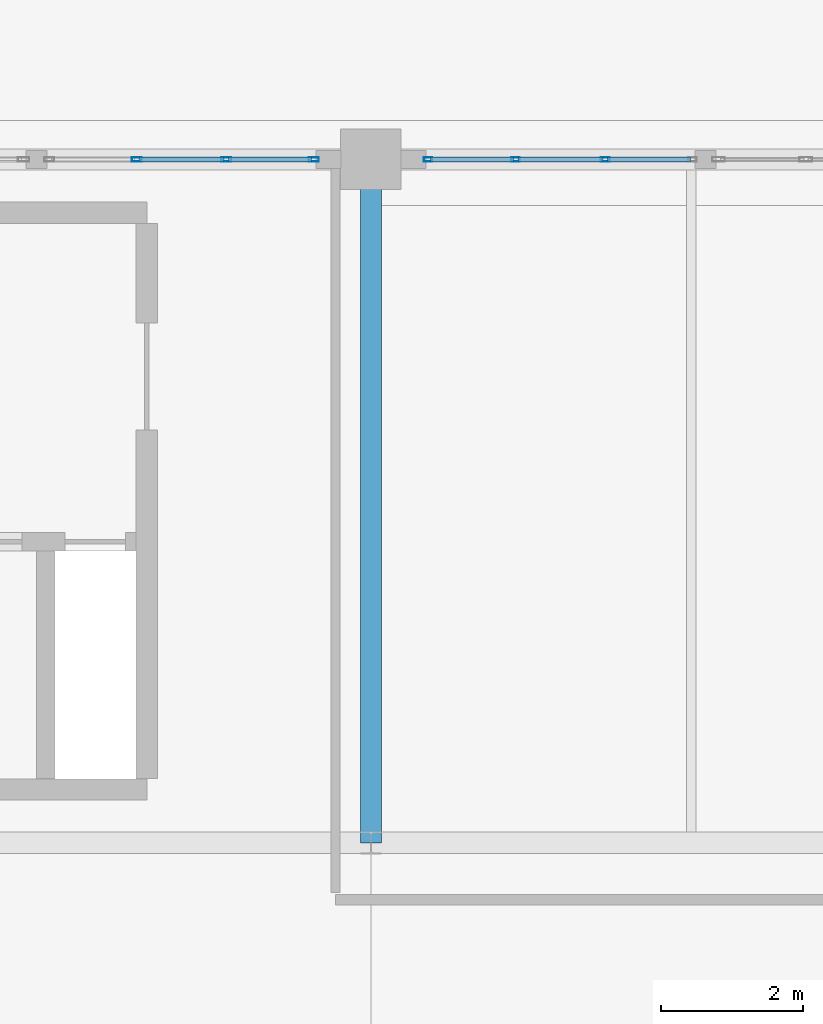
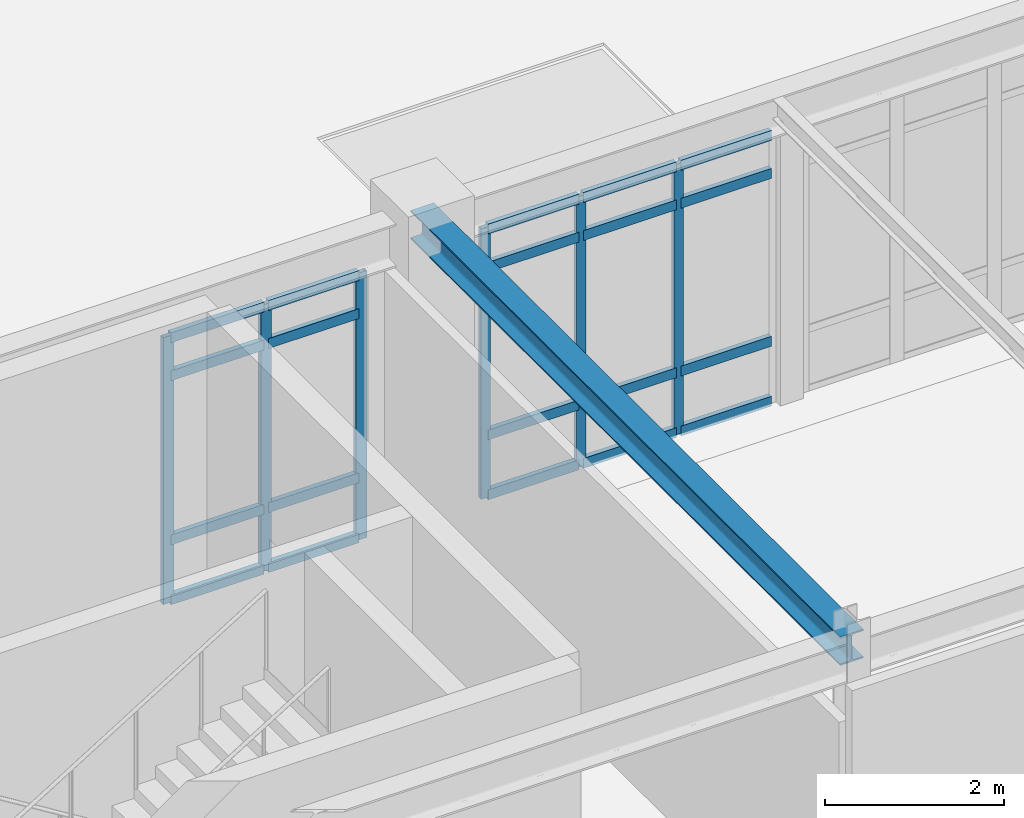
# One storey, part 19 of 55: 26 members, 1 beam, 2 elements without a shape of their own.
"""IFC4 building model written with IfcOpenShell, lengths in metres."""

from ifc_helpers import new_model, si_unit, direction, frame, origin, origin_2d, place, context, subcontext, project, spatial, hollow_rectangle, i_section, extrude, material, layer, layer_set, material_profile, profile_set, type_object, element, aggregate, save


model = new_model("IFC4")

# Units and contexts
model_context = context("Model", 3, precision=1e-05, world=origin(), true_north=direction((0.0, 1.0)))
body_context = subcontext(model_context, "Body", "Model", "MODEL_VIEW")
ifc_project = project(units=[si_unit("LENGTHUNIT", "METRE"), si_unit("AREAUNIT", "SQUARE_METRE"), si_unit("VOLUMEUNIT", "CUBIC_METRE"), si_unit("PLANEANGLEUNIT", "RADIAN"), si_unit("MASSUNIT", "GRAM", prefix="KILO")], contexts=[model_context])

# Site, building, storey
site_placement = place(None, origin())
site = spatial("IfcSite", under=ifc_project, at=site_placement, CompositionType="ELEMENT")
building_placement = place(site_placement, origin())
building = spatial("IfcBuilding", under=site, at=building_placement, Name="Fikremerkos Civic Library", CompositionType="ELEMENT")
storey_placement = place(building_placement, frame((0.0, 0.0, 18.89990234375)))
storey = spatial("IfcBuildingStorey", under=building, at=storey_placement, Name="L04", CompositionType="ELEMENT", Elevation=18.89990234375)

# Curtain wall, members
ifc_material_1 = material(Name="Anodized aluminium Frame", Category="aluminium")
ifc_layer_1 = layer(ifc_material_1, 0.159912109375, Name="Anodized aluminium Frame")
ifc_layer_set_1 = layer_set([ifc_layer_1], Name="Anodized aluminium Frame")
curtain_wall_type_1 = type_object("IfcCurtainWallType", Name="Unitised curtain wall CW-03 4100x3600", PredefinedType="USERDEFINED", material=ifc_layer_set_1)
curtain_wall_1_placement = place(storey_placement, origin())
curtain_wall_1 = element("IfcCurtainWall", 1, at=curtain_wall_1_placement, inside=storey, type_object=curtain_wall_type_1, Name="Unitised curtain wall CW-03 L04 #237", ObjectType="UNITISED CURTAIN WALL", PredefinedType="USERDEFINED")
ifc_material_profile_1 = material_profile(ifc_material_1, hollow_rectangle(XDim=0.06005859375, YDim=0.139892578125, WallThickness=0.00390625, at=origin_2d()), Name="ALU 140x60x4")
ifc_profile_set_1 = profile_set([ifc_material_profile_1], Name="Anodized aluminium Frame")
member_type_1 = type_object("IfcMemberType", Name="Curtain mullion CWM-03 ALU 140x60x4", PredefinedType="MULLION", material=ifc_profile_set_1)
member_1_placement = place(storey_placement, frame((56.409423828125, 31.199951171875, 0.0), z_axis=(0.0, 0.0, 1.0), x_axis=(0.0, 1.0, 0.0)))
member_1 = element("IfcMember", 2, at=member_1_placement, type_object=member_type_1, Name="CW-03 mullion 2", PredefinedType="MULLION", context=body_context, shape_type="SweptSolid", body=[
    extrude(hollow_rectangle(XDim=0.06005859375, YDim=0.139892578125, WallThickness=0.00390625, at=origin_2d()), origin(), (0.0, 0.0, 1.0), 3.64013671875),
])
member_2_placement = place(storey_placement, frame((57.668212890625, 31.199951171875, 0.0), z_axis=(0.0, 0.0, 1.0), x_axis=(0.0, 1.0, 0.0)))
member_2 = element("IfcMember", 3, at=member_2_placement, type_object=member_type_1, Name="CW-03 mullion 3", PredefinedType="MULLION", context=body_context, shape_type="SweptSolid", body=[
    extrude(hollow_rectangle(XDim=0.06005859375, YDim=0.139892578125, WallThickness=0.00390625, at=origin_2d()), origin(), (0.0, 0.0, 1.0), 3.64013671875),
])
member_3_placement = place(storey_placement, frame((58.89697265625, 31.199951171875, 0.0), z_axis=(0.0, 0.0, 1.0), x_axis=(0.0, 1.0, 0.0)))
member_3 = element("IfcMember", 4, at=member_3_placement, type_object=member_type_1, Name="CW-03 mullion 4", PredefinedType="MULLION", context=body_context, shape_type="SweptSolid", body=[
    extrude(hollow_rectangle(XDim=0.06005859375, YDim=0.139892578125, WallThickness=0.00390625, at=origin_2d()), origin(), (0.0, 0.0, 1.0), 3.64013671875),
])

ifc_layer_2 = layer(ifc_material_1, 0.159912109375, Name="Anodized aluminium Frame")
ifc_layer_set_2 = layer_set([ifc_layer_2], Name="Anodized aluminium Frame")
curtain_wall_type_2 = type_object("IfcCurtainWallType", Name="Unitised curtain wall CW-04 3400x3600", PredefinedType="USERDEFINED", material=ifc_layer_set_2)
curtain_wall_2_placement = place(storey_placement, origin())
curtain_wall_2 = element("IfcCurtainWall", 5, at=curtain_wall_2_placement, inside=storey, type_object=curtain_wall_type_2, Name="Unitised curtain wall CW-04 L04 #238", ObjectType="UNITISED CURTAIN WALL", PredefinedType="USERDEFINED")
ifc_material_profile_2 = material_profile(ifc_material_1, hollow_rectangle(XDim=0.06005859375, YDim=0.1201171875, WallThickness=0.00390625, at=origin_2d()), Name="ALU 120x60x4")
ifc_profile_set_2 = profile_set([ifc_material_profile_2], Name="Anodized aluminium Frame")
member_type_2 = type_object("IfcMemberType", Name="Curtain mullion CWM-04 ALU 120x60x4", PredefinedType="MULLION", material=ifc_profile_set_2)
member_4_placement = place(storey_placement, frame((60.5029296875, 31.199951171875, 0.0), z_axis=(0.0, 0.0, 1.0), x_axis=(0.0, 1.0, 0.0)))
member_4 = element("IfcMember", 6, at=member_4_placement, type_object=member_type_2, Name="CW-04 mullion 1", PredefinedType="MULLION", context=body_context, shape_type="SweptSolid", body=[
    extrude(hollow_rectangle(XDim=0.06005859375, YDim=0.1201171875, WallThickness=0.00390625, at=origin_2d()), origin(), (0.0, 0.0, 1.0), 3.690185546875),
])
member_5_placement = place(storey_placement, frame((61.731689453125, 31.199951171875, 0.0), z_axis=(0.0, 0.0, 1.0), x_axis=(0.0, 1.0, 0.0)))
member_5 = element("IfcMember", 7, at=member_5_placement, type_object=member_type_2, Name="CW-04 mullion 2", PredefinedType="MULLION", context=body_context, shape_type="SweptSolid", body=[
    extrude(hollow_rectangle(XDim=0.06005859375, YDim=0.1201171875, WallThickness=0.00390625, at=origin_2d()), origin(), (0.0, 0.0, 1.0), 3.690185546875),
])
member_6_placement = place(storey_placement, frame((62.990478515625, 31.199951171875, 0.0), z_axis=(0.0, 0.0, 1.0), x_axis=(0.0, 1.0, 0.0)))
member_6 = element("IfcMember", 8, at=member_6_placement, type_object=member_type_2, Name="CW-04 mullion 3", PredefinedType="MULLION", context=body_context, shape_type="SweptSolid", body=[
    extrude(hollow_rectangle(XDim=0.06005859375, YDim=0.1201171875, WallThickness=0.00390625, at=origin_2d()), origin(), (0.0, 0.0, 1.0), 3.690185546875),
])

# Member
ifc_material_profile_3 = material_profile(ifc_material_1, hollow_rectangle(XDim=0.06494140625, YDim=0.135009765625, WallThickness=0.00439453125, at=origin_2d()), Name="ALU 135x65x4.5")
ifc_profile_set_3 = profile_set([ifc_material_profile_3], Name="Anodized aluminium Frame")
member_type_3 = type_object("IfcMemberType", Name="Curtain transom CWT-02 ALU 135x65x4.5", PredefinedType="USERDEFINED", material=ifc_profile_set_3)
member_7_placement = place(storey_placement, frame((56.439453125, 31.199951171875, 0.03271484375), z_axis=(1.0, 0.0, 0.0), x_axis=(0.0, 1.0, 0.0)))
member_7 = element("IfcMember", 9, at=member_7_placement, type_object=member_type_3, Name="CW-03 transom 2.1", ObjectType="TRANSOM", PredefinedType="USERDEFINED", context=body_context, shape_type="SweptSolid", body=[
    extrude(hollow_rectangle(XDim=0.06494140625, YDim=0.135009765625, WallThickness=0.00439453125, at=origin_2d()), origin(), (0.0, 0.0, 1.0), 1.19873046875),
])

member_8_placement = place(storey_placement, frame((56.439453125, 31.199951171875, 0.85009765625), z_axis=(1.0, 0.0, 0.0), x_axis=(0.0, 1.0, 0.0)))
member_8 = element("IfcMember", 10, at=member_8_placement, type_object=member_type_3, Name="CW-03 transom 2.2", ObjectType="TRANSOM", PredefinedType="USERDEFINED", context=body_context, shape_type="SweptSolid", body=[
    extrude(hollow_rectangle(XDim=0.06494140625, YDim=0.135009765625, WallThickness=0.00439453125, at=origin_2d()), origin(), (0.0, 0.0, 1.0), 1.19873046875),
])

member_9_placement = place(storey_placement, frame((56.439453125, 31.199951171875, 3.090087890625), z_axis=(1.0, 0.0, 0.0), x_axis=(0.0, 1.0, 0.0)))
member_9 = element("IfcMember", 11, at=member_9_placement, type_object=member_type_3, Name="CW-03 transom 2.3", ObjectType="TRANSOM", PredefinedType="USERDEFINED", context=body_context, shape_type="SweptSolid", body=[
    extrude(hollow_rectangle(XDim=0.06494140625, YDim=0.135009765625, WallThickness=0.00439453125, at=origin_2d()), origin(), (0.0, 0.0, 1.0), 1.19873046875),
])

member_10_placement = place(storey_placement, frame((56.439453125, 31.199951171875, 3.607666015625), z_axis=(1.0, 0.0, 0.0), x_axis=(0.0, 1.0, 0.0)))
member_10 = element("IfcMember", 12, at=member_10_placement, type_object=member_type_3, Name="CW-03 transom 2.4", ObjectType="TRANSOM", PredefinedType="USERDEFINED", context=body_context, shape_type="SweptSolid", body=[
    extrude(hollow_rectangle(XDim=0.06494140625, YDim=0.135009765625, WallThickness=0.00439453125, at=origin_2d()), origin(), (0.0, 0.0, 1.0), 1.19873046875),
])

member_11_placement = place(storey_placement, frame((57.6982421875, 31.199951171875, 0.03271484375), z_axis=(1.0, 0.0, 0.0), x_axis=(0.0, 1.0, 0.0)))
member_11 = element("IfcMember", 13, at=member_11_placement, type_object=member_type_3, Name="CW-03 transom 3.1", ObjectType="TRANSOM", PredefinedType="USERDEFINED", context=body_context, shape_type="SweptSolid", body=[
    extrude(hollow_rectangle(XDim=0.06494140625, YDim=0.135009765625, WallThickness=0.00439453125, at=origin_2d()), origin(), (0.0, 0.0, 1.0), 1.168701171875),
])

member_12_placement = place(storey_placement, frame((57.6982421875, 31.199951171875, 0.85009765625), z_axis=(1.0, 0.0, 0.0), x_axis=(0.0, 1.0, 0.0)))
member_12 = element("IfcMember", 14, at=member_12_placement, type_object=member_type_3, Name="CW-03 transom 3.2", ObjectType="TRANSOM", PredefinedType="USERDEFINED", context=body_context, shape_type="SweptSolid", body=[
    extrude(hollow_rectangle(XDim=0.06494140625, YDim=0.135009765625, WallThickness=0.00439453125, at=origin_2d()), origin(), (0.0, 0.0, 1.0), 1.168701171875),
])

member_13_placement = place(storey_placement, frame((57.6982421875, 31.199951171875, 3.090087890625), z_axis=(1.0, 0.0, 0.0), x_axis=(0.0, 1.0, 0.0)))
member_13 = element("IfcMember", 15, at=member_13_placement, type_object=member_type_3, Name="CW-03 transom 3.3", ObjectType="TRANSOM", PredefinedType="USERDEFINED", context=body_context, shape_type="SweptSolid", body=[
    extrude(hollow_rectangle(XDim=0.06494140625, YDim=0.135009765625, WallThickness=0.00439453125, at=origin_2d()), origin(), (0.0, 0.0, 1.0), 1.168701171875),
])

member_14_placement = place(storey_placement, frame((57.6982421875, 31.199951171875, 3.607666015625), z_axis=(1.0, 0.0, 0.0), x_axis=(0.0, 1.0, 0.0)))
member_14 = element("IfcMember", 16, at=member_14_placement, type_object=member_type_3, Name="CW-03 transom 3.4", ObjectType="TRANSOM", PredefinedType="USERDEFINED", context=body_context, shape_type="SweptSolid", body=[
    extrude(hollow_rectangle(XDim=0.06494140625, YDim=0.135009765625, WallThickness=0.00439453125, at=origin_2d()), origin(), (0.0, 0.0, 1.0), 1.168701171875),
])

aggregate(curtain_wall_1, [member_1, member_2, member_3, member_7, member_8, member_9, member_10, member_11, member_12, member_13, member_14])

member_15_placement = place(storey_placement, frame((60.532958984375, 31.199951171875, 0.03271484375), z_axis=(1.0, 0.0, 0.0), x_axis=(0.0, 1.0, 0.0)))
member_15 = element("IfcMember", 17, at=member_15_placement, type_object=member_type_3, Name="CW-04 transom 1.1", ObjectType="TRANSOM", PredefinedType="USERDEFINED", context=body_context, shape_type="SweptSolid", body=[
    extrude(hollow_rectangle(XDim=0.06494140625, YDim=0.135009765625, WallThickness=0.00439453125, at=origin_2d()), origin(), (0.0, 0.0, 1.0), 1.168701171875),
])

member_16_placement = place(storey_placement, frame((60.532958984375, 31.199951171875, 0.85009765625), z_axis=(1.0, 0.0, 0.0), x_axis=(0.0, 1.0, 0.0)))
member_16 = element("IfcMember", 18, at=member_16_placement, type_object=member_type_3, Name="CW-04 transom 1.2", ObjectType="TRANSOM", PredefinedType="USERDEFINED", context=body_context, shape_type="SweptSolid", body=[
    extrude(hollow_rectangle(XDim=0.06494140625, YDim=0.135009765625, WallThickness=0.00439453125, at=origin_2d()), origin(), (0.0, 0.0, 1.0), 1.168701171875),
])

member_17_placement = place(storey_placement, frame((60.532958984375, 31.199951171875, 3.14013671875), z_axis=(1.0, 0.0, 0.0), x_axis=(0.0, 1.0, 0.0)))
member_17 = element("IfcMember", 19, at=member_17_placement, type_object=member_type_3, Name="CW-04 transom 1.3", ObjectType="TRANSOM", PredefinedType="USERDEFINED", context=body_context, shape_type="SweptSolid", body=[
    extrude(hollow_rectangle(XDim=0.06494140625, YDim=0.135009765625, WallThickness=0.00439453125, at=origin_2d()), origin(), (0.0, 0.0, 1.0), 1.168701171875),
])

member_18_placement = place(storey_placement, frame((60.532958984375, 31.199951171875, 3.65771484375), z_axis=(1.0, 0.0, 0.0), x_axis=(0.0, 1.0, 0.0)))
member_18 = element("IfcMember", 20, at=member_18_placement, type_object=member_type_3, Name="CW-04 transom 1.4", ObjectType="TRANSOM", PredefinedType="USERDEFINED", context=body_context, shape_type="SweptSolid", body=[
    extrude(hollow_rectangle(XDim=0.06494140625, YDim=0.135009765625, WallThickness=0.00439453125, at=origin_2d()), origin(), (0.0, 0.0, 1.0), 1.168701171875),
])

member_19_placement = place(storey_placement, frame((61.76171875, 31.199951171875, 0.03271484375), z_axis=(1.0, 0.0, 0.0), x_axis=(0.0, 1.0, 0.0)))
member_19 = element("IfcMember", 21, at=member_19_placement, type_object=member_type_3, Name="CW-04 transom 2.1", ObjectType="TRANSOM", PredefinedType="USERDEFINED", context=body_context, shape_type="SweptSolid", body=[
    extrude(hollow_rectangle(XDim=0.06494140625, YDim=0.135009765625, WallThickness=0.00439453125, at=origin_2d()), origin(), (0.0, 0.0, 1.0), 1.19873046875),
])

member_20_placement = place(storey_placement, frame((61.76171875, 31.199951171875, 0.85009765625), z_axis=(1.0, 0.0, 0.0), x_axis=(0.0, 1.0, 0.0)))
member_20 = element("IfcMember", 22, at=member_20_placement, type_object=member_type_3, Name="CW-04 transom 2.2", ObjectType="TRANSOM", PredefinedType="USERDEFINED", context=body_context, shape_type="SweptSolid", body=[
    extrude(hollow_rectangle(XDim=0.06494140625, YDim=0.135009765625, WallThickness=0.00439453125, at=origin_2d()), origin(), (0.0, 0.0, 1.0), 1.19873046875),
])

member_21_placement = place(storey_placement, frame((61.76171875, 31.199951171875, 3.14013671875), z_axis=(1.0, 0.0, 0.0), x_axis=(0.0, 1.0, 0.0)))
member_21 = element("IfcMember", 23, at=member_21_placement, type_object=member_type_3, Name="CW-04 transom 2.3", ObjectType="TRANSOM", PredefinedType="USERDEFINED", context=body_context, shape_type="SweptSolid", body=[
    extrude(hollow_rectangle(XDim=0.06494140625, YDim=0.135009765625, WallThickness=0.00439453125, at=origin_2d()), origin(), (0.0, 0.0, 1.0), 1.19873046875),
])

member_22_placement = place(storey_placement, frame((61.76171875, 31.199951171875, 3.65771484375), z_axis=(1.0, 0.0, 0.0), x_axis=(0.0, 1.0, 0.0)))
member_22 = element("IfcMember", 24, at=member_22_placement, type_object=member_type_3, Name="CW-04 transom 2.4", ObjectType="TRANSOM", PredefinedType="USERDEFINED", context=body_context, shape_type="SweptSolid", body=[
    extrude(hollow_rectangle(XDim=0.06494140625, YDim=0.135009765625, WallThickness=0.00439453125, at=origin_2d()), origin(), (0.0, 0.0, 1.0), 1.19873046875),
])

member_23_placement = place(storey_placement, frame((63.0205078125, 31.199951171875, 0.03271484375), z_axis=(1.0, 0.0, 0.0), x_axis=(0.0, 1.0, 0.0)))
member_23 = element("IfcMember", 25, at=member_23_placement, type_object=member_type_3, Name="CW-04 transom 3.1", ObjectType="TRANSOM", PredefinedType="USERDEFINED", context=body_context, shape_type="SweptSolid", body=[
    extrude(hollow_rectangle(XDim=0.06494140625, YDim=0.135009765625, WallThickness=0.00439453125, at=origin_2d()), origin(), (0.0, 0.0, 1.0), 1.168701171875),
])

member_24_placement = place(storey_placement, frame((63.0205078125, 31.199951171875, 0.85009765625), z_axis=(1.0, 0.0, 0.0), x_axis=(0.0, 1.0, 0.0)))
member_24 = element("IfcMember", 26, at=member_24_placement, type_object=member_type_3, Name="CW-04 transom 3.2", ObjectType="TRANSOM", PredefinedType="USERDEFINED", context=body_context, shape_type="SweptSolid", body=[
    extrude(hollow_rectangle(XDim=0.06494140625, YDim=0.135009765625, WallThickness=0.00439453125, at=origin_2d()), origin(), (0.0, 0.0, 1.0), 1.168701171875),
])

member_25_placement = place(storey_placement, frame((63.0205078125, 31.199951171875, 3.14013671875), z_axis=(1.0, 0.0, 0.0), x_axis=(0.0, 1.0, 0.0)))
member_25 = element("IfcMember", 27, at=member_25_placement, type_object=member_type_3, Name="CW-04 transom 3.3", ObjectType="TRANSOM", PredefinedType="USERDEFINED", context=body_context, shape_type="SweptSolid", body=[
    extrude(hollow_rectangle(XDim=0.06494140625, YDim=0.135009765625, WallThickness=0.00439453125, at=origin_2d()), origin(), (0.0, 0.0, 1.0), 1.168701171875),
])

member_26_placement = place(storey_placement, frame((63.0205078125, 31.199951171875, 3.65771484375), z_axis=(1.0, 0.0, 0.0), x_axis=(0.0, 1.0, 0.0)))
member_26 = element("IfcMember", 28, at=member_26_placement, type_object=member_type_3, Name="CW-04 transom 3.4", ObjectType="TRANSOM", PredefinedType="USERDEFINED", context=body_context, shape_type="SweptSolid", body=[
    extrude(hollow_rectangle(XDim=0.06494140625, YDim=0.135009765625, WallThickness=0.00439453125, at=origin_2d()), origin(), (0.0, 0.0, 1.0), 1.168701171875),
])

aggregate(curtain_wall_2, [member_4, member_5, member_6, member_15, member_16, member_17, member_18, member_19, member_20, member_21, member_22, member_23, member_24, member_25, member_26])

# Beam
ifc_material_2 = material(Name="Steel S355", Category="steel")
ifc_material_profile_4 = material_profile(ifc_material_2, i_section(OverallWidth=0.300048828125, OverallDepth=0.389892578125, WebThickness=0.010986328125, FlangeThickness=0.01904296875, FilletRadius=0.027099609375, at=origin_2d()), Name="HEA 400")
ifc_profile_set_4 = profile_set([ifc_material_profile_4], Name="Steel S355")
beam_type = type_object("IfcBeamType", Name="Primary girder BM-19 HEA 400", PredefinedType="BEAM", material=ifc_profile_set_4)
beam_placement = place(storey_placement, frame((59.699951171875, 21.60009765625, 4.045166015625), z_axis=(0.0, 1.0, 0.0), x_axis=(-1.0, 0.0, 0.0)))
element("IfcBeam", 29, at=beam_placement, inside=storey, type_object=beam_type, Name="Primary girder BM-19 L04 grid 6", PredefinedType="BEAM", context=body_context, shape_type="SweptSolid", body=[
    extrude(i_section(OverallWidth=0.300048828125, OverallDepth=0.389892578125, WebThickness=0.010986328125, FlangeThickness=0.01904296875, FilletRadius=0.027099609375, at=origin_2d()), origin(), (0.0, 0.0, 1.0), 9.599853515625),
])

save(model, "model.ifc")
